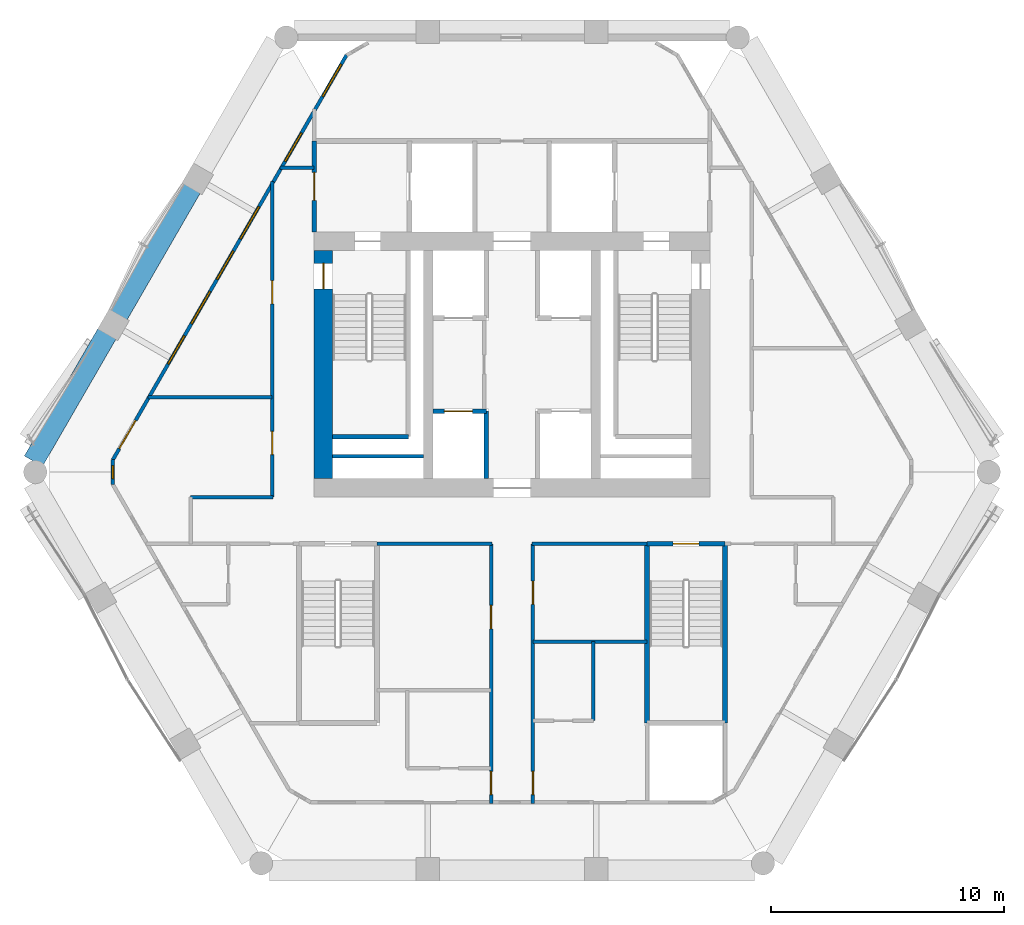
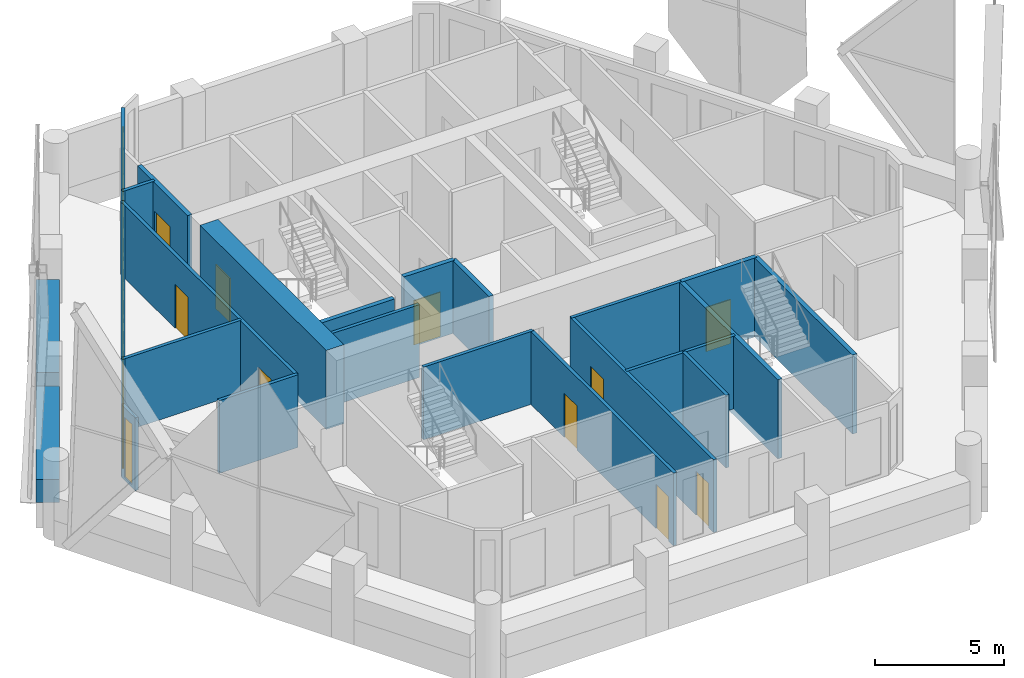
# One storey, part 8 of 13: 23 walls, 11 doors, 7 windows, 18 openings.
"""IFC4 building model written with IfcOpenShell, lengths in metres."""

from ifc_helpers import new_model, si_unit, direction, frame, frame_2d, origin, place, context, subcontext, project, spatial, rectangle, extrude, material, layer, layer_set, type_object, element, fill, save


model = new_model("IFC4")

# Units and contexts
model_context = context("Model", 3, precision=1e-05, world=origin(), true_north=direction((0.0, 1.0)))
body_context = subcontext(model_context, "Body", "Model", "MODEL_VIEW")
ifc_project = project(units=[si_unit("LENGTHUNIT", "METRE"), si_unit("AREAUNIT", "SQUARE_METRE"), si_unit("VOLUMEUNIT", "CUBIC_METRE"), si_unit("PLANEANGLEUNIT", "RADIAN"), si_unit("MASSUNIT", "GRAM", prefix="KILO")], contexts=[model_context])

# Site, building, storey
site_placement = place(None, origin())
site = spatial("IfcSite", under=ifc_project, at=site_placement, CompositionType="ELEMENT")
building_placement = place(site_placement, origin())
building = spatial("IfcBuilding", under=site, at=building_placement, Name="Ostrander Bayou Hotel Tower", CompositionType="ELEMENT")
storey_placement = place(building_placement, frame((0.0, 0.0, 187.0)))
storey = spatial("IfcBuildingStorey", under=building, at=storey_placement, Name="L46", CompositionType="ELEMENT", Elevation=187.0)

# Wall, opening, door
ifc_material_1 = material(Name="Concrete f'c 60 MPa", Category="concrete")
ifc_layer_1 = layer(ifc_material_1, 0.800048828125)
ifc_layer_set_1 = layer_set([ifc_layer_1], Name="CW8 core spine wall 800 mm f'c 60 MPa")
wall_type_1 = type_object("IfcWallType", Name="CW8 core spine wall 800 mm f'c 60 MPa", PredefinedType="SHEAR", material=ifc_layer_set_1)
wall_1_placement = place(storey_placement, frame((-8.10009765625, -0.89990234375, -0.300048828125), z_axis=(0.0, 0.0, 1.0), x_axis=(0.0, 1.0, 0.0)))
wall_1 = element("IfcWall", 1, at=wall_1_placement, inside=storey, type_object=wall_type_1, Name="CW8 L46 W", PredefinedType="SHEAR", context=body_context, shape_type="SweptSolid", body=[
    extrude(rectangle(XDim=9.7998046875, YDim=0.800048828125, at=frame_2d((4.89990234375, 0.0))), origin(), (0.0, 0.0, 1.0), 3.75),
])
opening_1_placement = place(wall_1_placement, frame((8.14990234375, 0.0, 0.0)))
opening_1 = element("IfcOpeningElement", 2, at=opening_1_placement, cuts=wall_1, Name="Opening T44-008", PredefinedType="OPENING", context=body_context, shape_type="SweptSolid", body=[
    extrude(rectangle(XDim=1.10009765625, YDim=2.10009765625, at=frame_2d((0.550048828125, 1.050048828125))), frame((0.0, 0.39990234375, 0.0), z_axis=(0.0, -1.0, 0.0), x_axis=(1.0, 0.0, 0.0)), (0.0, 0.0, 1.0), 0.800048828125),
])
ifc_material_2 = material(Name="Timber door leaf", Category="wood")
door_type_1 = type_object("IfcDoorType", Name="D5 stair door 1100 x 2100 mm, 90 minute", OperationType="SINGLE_SWING_LEFT", PredefinedType="DOOR", material=ifc_material_2)
door_1_placement = place(opening_1_placement, origin())
door_1 = element("IfcDoor", 3, at=door_1_placement, inside=storey, type_object=door_type_1, Name="dr:L46:008", OperationType="SINGLE_SWING_RIGHT", OverallHeight=2.10009765625, OverallWidth=1.10009765625, PredefinedType="DOOR", context=body_context, shape_type="SweptSolid", body=[
    extrude(rectangle(XDim=1.10009765625, YDim=2.10009765625, at=frame_2d((0.550048828125, 1.050048828125))), frame((0.0, 0.02490234375, 0.0), z_axis=(0.0, -1.0, 0.0), x_axis=(1.0, 0.0, 0.0)), (0.0, 0.0, 1.0), 0.050048828125),
])
fill(opening_1, door_1)

# Wall, openings, door, windows
ifc_material_3 = material(Name="Aluminium framed insulated wall", Category="aluminium")
ifc_layer_2 = layer(ifc_material_3, 0.14990234375)
ifc_layer_set_2 = layer_set([ifc_layer_2], Name="GW1 glass-line wall 150 mm")
wall_type_2 = type_object("IfcWallType", Name="GW1 glass-line wall 150 mm", PredefinedType="SOLIDWALL", material=ifc_layer_set_2)
wall_2_placement = place(storey_placement, frame((-7.109375, 17.29248046875, 0.0), z_axis=(0.0, 0.0, 1.0), x_axis=(-0.499999728453, -0.866025560562, 0.0)))
wall_2 = element("IfcWall", 4, at=wall_2_placement, inside=storey, type_object=wall_type_2, Name="GW1 L46 NW 1", PredefinedType="SOLIDWALL", context=body_context, shape_type="SweptSolid", body=[
    extrude(rectangle(XDim=20.07080078125, YDim=0.14990234375, at=frame_2d((10.035400390625, 0.0))), origin(), (0.0, 0.0, 1.0), 3.449951171875),
])
opening_2_placement = place(wall_2_placement, frame((3.86767578125, 0.0, 0.14990234375)))
opening_2 = element("IfcOpeningElement", 5, at=opening_2_placement, cuts=wall_2, Name="Opening W13", PredefinedType="OPENING", context=body_context, shape_type="SweptSolid", body=[
    extrude(rectangle(XDim=1.39990234375, YDim=2.85009765625, at=frame_2d((0.699951171875, 1.425048828125))), frame((0.0, 0.074951171875, 0.0), z_axis=(0.0, -1.0, 0.0), x_axis=(1.0, 0.0, 0.0)), (0.0, 0.0, 1.0), 0.14990234375),
])
opening_3_placement = place(wall_2_placement, frame((7.52099609375, 0.0, 0.14990234375)))
opening_3 = element("IfcOpeningElement", 6, at=opening_3_placement, cuts=wall_2, Name="Opening W3", PredefinedType="OPENING", context=body_context, shape_type="SweptSolid", body=[
    extrude(rectangle(XDim=1.60009765625, YDim=2.85009765625, at=frame_2d((0.800048828125, 1.425048828125))), frame((0.0, 0.074951171875, 0.0), z_axis=(0.0, -1.0, 0.0), x_axis=(1.0, 0.0, 0.0)), (0.0, 0.0, 1.0), 0.14990234375),
])
opening_4_placement = place(wall_2_placement, frame((9.72119140625, 0.0, 0.14990234375)))
opening_4 = element("IfcOpeningElement", 7, at=opening_4_placement, cuts=wall_2, Name="Opening W13", PredefinedType="OPENING", context=body_context, shape_type="SweptSolid", body=[
    extrude(rectangle(XDim=1.39990234375, YDim=2.85009765625, at=frame_2d((0.699951171875, 1.425048828125))), frame((0.0, 0.074951171875, 0.0), z_axis=(0.0, -1.0, 0.0), x_axis=(1.0, 0.0, 0.0)), (0.0, 0.0, 1.0), 0.14990234375),
])
opening_5_placement = place(wall_2_placement, frame((11.72119140625, 0.0, 0.14990234375)))
opening_5 = element("IfcOpeningElement", 8, at=opening_5_placement, cuts=wall_2, Name="Opening W3", PredefinedType="OPENING", context=body_context, shape_type="SweptSolid", body=[
    extrude(rectangle(XDim=1.60009765625, YDim=2.85009765625, at=frame_2d((0.800048828125, 1.425048828125))), frame((0.0, 0.074951171875, 0.0), z_axis=(0.0, -1.0, 0.0), x_axis=(1.0, 0.0, 0.0)), (0.0, 0.0, 1.0), 0.14990234375),
])
opening_6_placement = place(wall_2_placement, frame((13.921142578125, 0.0, 0.14990234375)))
opening_6 = element("IfcOpeningElement", 9, at=opening_6_placement, cuts=wall_2, Name="Opening W13", PredefinedType="OPENING", context=body_context, shape_type="SweptSolid", body=[
    extrude(rectangle(XDim=1.39990234375, YDim=2.85009765625, at=frame_2d((0.699951171875, 1.425048828125))), frame((0.0, 0.074951171875, 0.0), z_axis=(0.0, -1.0, 0.0), x_axis=(1.0, 0.0, 0.0)), (0.0, 0.0, 1.0), 0.14990234375),
])
opening_7_placement = place(wall_2_placement, frame((18.12109375, 0.0, 0.0)))
opening_7 = element("IfcOpeningElement", 10, at=opening_7_placement, cuts=wall_2, Name="Opening T44-800", PredefinedType="OPENING", context=body_context, shape_type="SweptSolid", body=[
    extrude(rectangle(XDim=1.39990234375, YDim=2.39990234375, at=frame_2d((0.699951171875, 1.199951171875))), frame((0.0, 0.074951171875, 0.0), z_axis=(0.0, -1.0, 0.0), x_axis=(1.0, 0.0, 0.0)), (0.0, 0.0, 1.0), 0.14990234375),
])
opening_8_placement = place(wall_2_placement, frame((0.45166015625, 0.0, 0.14990234375)))
opening_8 = element("IfcOpeningElement", 11, at=opening_8_placement, cuts=wall_2, Name="Opening W3", PredefinedType="OPENING", context=body_context, shape_type="SweptSolid", body=[
    extrude(rectangle(XDim=1.60009765625, YDim=2.72998046875, at=frame_2d((0.800048828125, 1.364990234375))), frame((0.0, 0.074951171875, 0.0), z_axis=(0.0, -1.0, 0.0), x_axis=(1.0, 0.0, 0.0)), (0.0, 0.0, 1.0), 0.14990234375),
])
ifc_material_4 = material(Name="Aluminium and clear glass", Category="aluminium")
door_type_2 = type_object("IfcDoorType", Name="SD3 sliding glass door 1400 mm, zone 3", OperationType="SLIDING_TO_LEFT", PredefinedType="DOOR", material=ifc_material_4)
door_2_placement = place(opening_7_placement, origin())
door_2 = element("IfcDoor", 12, at=door_2_placement, inside=storey, type_object=door_type_2, Name="SD3 L46 NW 4", OperationType="SLIDING_TO_RIGHT", OverallHeight=2.39990234375, OverallWidth=1.39990234375, PredefinedType="DOOR", context=body_context, shape_type="SweptSolid", body=[
    extrude(rectangle(XDim=1.39990234375, YDim=2.39990234375, at=frame_2d((0.699951171875, 1.199951171875))), frame((0.0, 0.02490234375, 0.0), z_axis=(0.0, -1.0, 0.0), x_axis=(1.0, 0.0, 0.0)), (0.0, 0.0, 1.0), 0.050048828125),
])
fill(opening_7, door_2)
ifc_material_5 = material(Name="Aluminium and clear glass", Category="aluminium")
window_type_1 = type_object("IfcWindowType", Name="W13 fixed window 1400 mm, bath bay, zone 3", PartitioningType="SINGLE_PANEL", PredefinedType="WINDOW", material=ifc_material_5)
window_1_placement = place(opening_2_placement, origin())
window_1 = element("IfcWindow", 13, at=window_1_placement, inside=storey, type_object=window_type_1, Name="W13 L46 NW 1", OverallHeight=2.85009765625, OverallWidth=1.39990234375, PartitioningType="SINGLE_PANEL", PredefinedType="WINDOW", context=body_context, shape_type="SweptSolid", body=[
    extrude(rectangle(XDim=1.39990234375, YDim=2.85009765625, at=frame_2d((0.699951171875, 1.425048828125))), frame((0.0, 0.030029296875, 0.0), z_axis=(0.0, -1.0, 0.0), x_axis=(1.0, 0.0, 0.0)), (0.0, 0.0, 1.0), 0.06005859375),
])
fill(opening_2, window_1)
window_2_placement = place(opening_4_placement, origin())
window_2 = element("IfcWindow", 14, at=window_2_placement, inside=storey, type_object=window_type_1, Name="W13 L46 NW 2", OverallHeight=2.85009765625, OverallWidth=1.39990234375, PartitioningType="SINGLE_PANEL", PredefinedType="WINDOW", context=body_context, shape_type="SweptSolid", body=[
    extrude(rectangle(XDim=1.39990234375, YDim=2.85009765625, at=frame_2d((0.699951171875, 1.425048828125))), frame((0.0, 0.030029296875, 0.0), z_axis=(0.0, -1.0, 0.0), x_axis=(1.0, 0.0, 0.0)), (0.0, 0.0, 1.0), 0.06005859375),
])
fill(opening_4, window_2)
window_3_placement = place(opening_6_placement, origin())
window_3 = element("IfcWindow", 15, at=window_3_placement, inside=storey, type_object=window_type_1, Name="W13 L46 NW 3", OverallHeight=2.85009765625, OverallWidth=1.39990234375, PartitioningType="SINGLE_PANEL", PredefinedType="WINDOW", context=body_context, shape_type="SweptSolid", body=[
    extrude(rectangle(XDim=1.39990234375, YDim=2.85009765625, at=frame_2d((0.699951171875, 1.425048828125))), frame((0.0, 0.030029296875, 0.0), z_axis=(0.0, -1.0, 0.0), x_axis=(1.0, 0.0, 0.0)), (0.0, 0.0, 1.0), 0.06005859375),
])
fill(opening_6, window_3)
ifc_material_6 = material(Name="Aluminium and clear glass", Category="aluminium")
window_type_2 = type_object("IfcWindowType", Name="W3 fixed window 1600 mm, zone 3", PartitioningType="SINGLE_PANEL", PredefinedType="WINDOW", material=ifc_material_6)
window_4_placement = place(opening_3_placement, origin())
window_4 = element("IfcWindow", 16, at=window_4_placement, inside=storey, type_object=window_type_2, Name="W3 L46 NW 2", OverallHeight=2.85009765625, OverallWidth=1.60009765625, PartitioningType="SINGLE_PANEL", PredefinedType="WINDOW", context=body_context, shape_type="SweptSolid", body=[
    extrude(rectangle(XDim=1.60009765625, YDim=2.85009765625, at=frame_2d((0.800048828125, 1.425048828125))), frame((0.0, 0.030029296875, 0.0), z_axis=(0.0, -1.0, 0.0), x_axis=(1.0, 0.0, 0.0)), (0.0, 0.0, 1.0), 0.06005859375),
])
fill(opening_3, window_4)
window_5_placement = place(opening_5_placement, origin())
window_5 = element("IfcWindow", 17, at=window_5_placement, inside=storey, type_object=window_type_2, Name="W3 L46 NW 3", OverallHeight=2.85009765625, OverallWidth=1.60009765625, PartitioningType="SINGLE_PANEL", PredefinedType="WINDOW", context=body_context, shape_type="SweptSolid", body=[
    extrude(rectangle(XDim=1.60009765625, YDim=2.85009765625, at=frame_2d((0.800048828125, 1.425048828125))), frame((0.0, 0.030029296875, 0.0), z_axis=(0.0, -1.0, 0.0), x_axis=(1.0, 0.0, 0.0)), (0.0, 0.0, 1.0), 0.06005859375),
])
fill(opening_5, window_5)
window_6_placement = place(opening_8_placement, origin())
window_6 = element("IfcWindow", 18, at=window_6_placement, inside=storey, type_object=window_type_2, Name="W3 L46 NW E11", OverallHeight=2.72998046875, OverallWidth=1.60009765625, PartitioningType="SINGLE_PANEL", PredefinedType="WINDOW", context=body_context, shape_type="SweptSolid", body=[
    extrude(rectangle(XDim=1.60009765625, YDim=2.72998046875, at=frame_2d((0.800048828125, 1.364990234375))), frame((0.0, 0.030029296875, 0.0), z_axis=(0.0, -1.0, 0.0), x_axis=(1.0, 0.0, 0.0)), (0.0, 0.0, 1.0), 0.06005859375),
])
fill(opening_8, window_6)

# Wall, opening, window
wall_3_placement = place(storey_placement, frame((-17.144775390625, -0.08935546875, 0.0), z_axis=(0.0, 0.0, 1.0), x_axis=(0.0, -1.0, 0.0)))
wall_3 = element("IfcWall", 19, at=wall_3_placement, inside=storey, type_object=wall_type_2, Name="GW1 L46 corner 2", PredefinedType="SOLIDWALL", context=body_context, shape_type="SweptSolid", body=[
    extrude(rectangle(XDim=1.06494140625, YDim=0.14990234375, at=frame_2d((0.532470703125, 0.0))), origin(), (0.0, 0.0, 1.0), 3.449951171875),
])
opening_9_placement = place(wall_3_placement, frame((0.257568359375, 0.0, 0.14990234375)))
opening_9 = element("IfcOpeningElement", 20, at=opening_9_placement, cuts=wall_3, Name="Opening W19", PredefinedType="OPENING", context=body_context, shape_type="SweptSolid", body=[
    extrude(rectangle(XDim=0.550048828125, YDim=2.85009765625, at=frame_2d((0.27490234375, 1.425048828125))), frame((0.0, 0.074951171875, 0.0), z_axis=(0.0, -1.0, 0.0), x_axis=(1.0, 0.0, 0.0)), (0.0, 0.0, 1.0), 0.14990234375),
])
ifc_material_7 = material(Name="Aluminium and clear glass", Category="aluminium")
window_type_3 = type_object("IfcWindowType", Name="W19 corner window 550 mm", PartitioningType="SINGLE_PANEL", PredefinedType="WINDOW", material=ifc_material_7)
window_7_placement = place(opening_9_placement, origin())
window_7 = element("IfcWindow", 21, at=window_7_placement, inside=storey, type_object=window_type_3, Name="W19 L46 corner 2", OverallHeight=2.85009765625, OverallWidth=0.550048828125, PartitioningType="SINGLE_PANEL", PredefinedType="WINDOW", context=body_context, shape_type="SweptSolid", body=[
    extrude(rectangle(XDim=0.550048828125, YDim=2.85009765625, at=frame_2d((0.27490234375, 1.425048828125))), frame((0.0, 0.030029296875, 0.0), z_axis=(0.0, -1.0, 0.0), x_axis=(1.0, 0.0, 0.0)), (0.0, 0.0, 1.0), 0.06005859375),
])
fill(opening_9, window_7)

# Walls
ifc_material_8 = material(Name="Concrete f'c 40 MPa", Category="concrete")
ifc_layer_3 = layer(ifc_material_8, 0.89990234375)
ifc_layer_set_3 = layer_set([ifc_layer_3], Name="PA1 stone-faced parapet 900 mm")
wall_type_3 = type_object("IfcWallType", Name="PA1 stone-faced parapet 900 mm", PredefinedType="PARAPET", material=ifc_layer_set_3)
wall_4_placement = place(storey_placement, frame((-13.779052734375, 11.59033203125, 0.0), z_axis=(0.0, 0.0, 1.0), x_axis=(-0.499984268907, -0.866034485945, 0.0)))
element("IfcWall", 22, at=wall_4_placement, inside=storey, type_object=wall_type_3, Name="PA1 L46 NW-2", PredefinedType="PARAPET", context=body_context, shape_type="SweptSolid", body=[
    extrude(rectangle(XDim=6.296142578125, YDim=0.89990234375, at=frame_2d((3.14794921875, 0.0))), origin(), (0.0, 0.0, 1.0), 1.10009765625),
])
wall_5_placement = place(storey_placement, frame((-17.39697265625, 5.32373046875, 0.0), z_axis=(0.0, 0.0, 1.0), x_axis=(-0.500017688138, -0.866015191293, 0.0)))
element("IfcWall", 23, at=wall_5_placement, inside=storey, type_object=wall_type_3, Name="PA1 L46 NW-3", PredefinedType="PARAPET", context=body_context, shape_type="SweptSolid", body=[
    extrude(rectangle(XDim=6.322998046875, YDim=0.89990234375, at=frame_2d((3.16162109375, 0.0))), origin(), (0.0, 0.0, 1.0), 1.10009765625),
])

# Wall, opening, door
ifc_material_9 = material(Name="Masonry block", Category="masonry")
ifc_layer_4 = layer(ifc_material_9, 0.199951171875)
ifc_layer_set_4 = layer_set([ifc_layer_4], Name="PT5 stair enclosure wall 200 mm masonry, 2 hour")
wall_type_4 = type_object("IfcWallType", Name="PT5 stair enclosure wall 200 mm masonry, 2 hour", PredefinedType="PARTITIONING", material=ifc_layer_set_4)
wall_6_placement = place(storey_placement, frame((-8.5, 9.699951171875, 0.0), z_axis=(0.0, 0.0, 1.0), x_axis=(0.0, 1.0, 0.0)))
wall_6 = element("IfcWall", 24, at=wall_6_placement, inside=storey, type_object=wall_type_4, Name="cs:L46:026", PredefinedType="PARTITIONING", context=body_context, shape_type="SweptSolid", body=[
    extrude(rectangle(XDim=3.900146484375, YDim=0.199951171875, at=frame_2d((1.9501953125, 0.0))), origin(), (0.0, 0.0, 1.0), 3.449951171875),
])
opening_10_placement = place(wall_6_placement, frame((1.35009765625, 0.0, 0.0)))
opening_10 = element("IfcOpeningElement", 25, at=opening_10_placement, cuts=wall_6, Name="Opening T44-014", PredefinedType="OPENING", context=body_context, shape_type="SweptSolid", body=[
    extrude(rectangle(XDim=1.199951171875, YDim=2.10009765625, at=frame_2d((0.60009765625, 1.050048828125))), frame((0.0, 0.10009765625, 0.0), z_axis=(0.0, -1.0, 0.0), x_axis=(1.0, 0.0, 0.0)), (0.0, 0.0, 1.0), 0.199951171875),
])
ifc_material_10 = material(Name="Timber door leaf", Category="wood")
door_type_3 = type_object("IfcDoorType", Name="D7 lobby door 1200 x 2100 mm, 1 hour", OperationType="SINGLE_SWING_LEFT", PredefinedType="DOOR", material=ifc_material_10)
door_3_placement = place(opening_10_placement, origin())
door_3 = element("IfcDoor", 26, at=door_3_placement, inside=storey, type_object=door_type_3, Name="dr:L46:014", OperationType="SINGLE_SWING_LEFT", OverallHeight=2.10009765625, OverallWidth=1.199951171875, PredefinedType="DOOR", context=body_context, shape_type="SweptSolid", body=[
    extrude(rectangle(XDim=1.199951171875, YDim=2.10009765625, at=frame_2d((0.60009765625, 1.050048828125))), frame((0.0, 0.02490234375, 0.0), z_axis=(0.0, -1.0, 0.0), x_axis=(1.0, 0.0, 0.0)), (0.0, 0.0, 1.0), 0.050048828125),
])
fill(opening_10, door_3)

ifc_material_11 = material(Name="Masonry block", Category="masonry")
ifc_layer_5 = layer(ifc_material_11, 0.199951171875)
ifc_layer_set_5 = layer_set([ifc_layer_5], Name="PT6 lift shaft wall 200 mm masonry, 2 hour")
wall_type_5 = type_object("IfcWallType", Name="PT6 lift shaft wall 200 mm masonry, 2 hour", PredefinedType="PARTITIONING", material=ifc_layer_set_5)
wall_7_placement = place(storey_placement, frame((-3.39990234375, 2.0, 0.0), z_axis=(0.0, 0.0, 1.0), x_axis=(1.0, 0.0, 0.0)))
wall_7 = element("IfcWall", 27, at=wall_7_placement, inside=storey, type_object=wall_type_5, Name="cs:L46:001", PredefinedType="PARTITIONING", context=body_context, shape_type="SweptSolid", body=[
    extrude(rectangle(XDim=2.2998046875, YDim=0.199951171875, at=frame_2d((1.14990234375, 0.0))), origin(), (0.0, 0.0, 1.0), 3.449951171875),
])
opening_11_placement = place(wall_7_placement, frame((0.5, 0.0, 0.0)))
opening_11 = element("IfcOpeningElement", 28, at=opening_11_placement, cuts=wall_7, Name="Opening T44-001", PredefinedType="OPENING", context=body_context, shape_type="SweptSolid", body=[
    extrude(rectangle(XDim=1.199951171875, YDim=2.10009765625, at=frame_2d((0.60009765625, 1.050048828125))), frame((0.0, 0.10009765625, 0.0), z_axis=(0.0, -1.0, 0.0), x_axis=(1.0, 0.0, 0.0)), (0.0, 0.0, 1.0), 0.199951171875),
])
ifc_material_12 = material(Name="Stainless steel sliding door", Category="steel")
door_type_4 = type_object("IfcDoorType", Name="LD1 lift landing door 1200 x 2100 mm", OperationType="SINGLE_SWING_LEFT", PredefinedType="DOOR", material=ifc_material_12)
door_4_placement = place(opening_11_placement, origin())
door_4 = element("IfcDoor", 29, at=door_4_placement, inside=storey, type_object=door_type_4, Name="dr:L46:001", OperationType="SLIDING_TO_LEFT", OverallHeight=2.10009765625, OverallWidth=1.199951171875, PredefinedType="DOOR", context=body_context, shape_type="SweptSolid", body=[
    extrude(rectangle(XDim=1.199951171875, YDim=2.10009765625, at=frame_2d((0.60009765625, 1.050048828125))), frame((0.0, 0.02490234375, 0.0), z_axis=(0.0, -1.0, 0.0), x_axis=(1.0, 0.0, 0.0)), (0.0, 0.0, 1.0), 0.050048828125),
])
fill(opening_11, door_4)

# Walls
wall_8_placement = place(storey_placement, frame((-1.10009765625, -0.89990234375, 0.0), z_axis=(0.0, 0.0, 1.0), x_axis=(0.0, 1.0, 0.0)))
element("IfcWall", 30, at=wall_8_placement, inside=storey, type_object=wall_type_5, Name="cs:L46:005", PredefinedType="PARTITIONING", context=body_context, shape_type="SweptSolid", body=[
    extrude(rectangle(XDim=2.89990234375, YDim=0.199951171875, at=frame_2d((1.449951171875, 0.0))), origin(), (0.0, 0.0, 1.0), 3.449951171875),
])
ifc_material_13 = material(Name="Gypsum board partition", Category="finish")
ifc_layer_6 = layer(ifc_material_13, 0.14990234375)
ifc_layer_set_6 = layer_set([ifc_layer_6], Name="PT7 riser wall 150 mm, 2 hour")
wall_type_6 = type_object("IfcWallType", Name="PT7 riser wall 150 mm, 2 hour", PredefinedType="PARTITIONING", material=ifc_layer_set_6)
wall_9_placement = place(storey_placement, frame((-7.699951171875, 0.050048828125, 0.0), z_axis=(0.0, 0.0, 1.0), x_axis=(1.0, 0.0, 0.0)))
element("IfcWall", 31, at=wall_9_placement, inside=storey, type_object=wall_type_6, Name="cs:L46:011", PredefinedType="PARTITIONING", context=body_context, shape_type="SweptSolid", body=[
    extrude(rectangle(XDim=3.89990234375, YDim=0.14990234375, at=frame_2d((1.949951171875, 0.0))), origin(), (0.0, 0.0, 1.0), 3.449951171875),
])
ifc_material_14 = material(Name="Gypsum board partition", Category="finish")
ifc_layer_7 = layer(ifc_material_14, 0.14990234375)
ifc_layer_set_7 = layer_set([ifc_layer_7], Name="PT8 service band wall 150 mm, 1 hour")
wall_type_7 = type_object("IfcWallType", Name="PT8 service band wall 150 mm, 1 hour", PredefinedType="PARTITIONING", material=ifc_layer_set_7)
wall_10_placement = place(storey_placement, frame((0.89990234375, -7.89990234375, 0.0), z_axis=(0.0, 0.0, 1.0), x_axis=(1.0, 0.0, 0.0)))
element("IfcWall", 32, at=wall_10_placement, inside=storey, type_object=wall_type_7, Name="gw:L46:005", PredefinedType="PARTITIONING", context=body_context, shape_type="SweptSolid", body=[
    extrude(rectangle(XDim=4.89013671875, YDim=0.14990234375, at=frame_2d((2.445068359375, 0.0))), origin(), (0.0, 0.0, 1.0), 3.449951171875),
])
for number, where, z_axis, x_axis, name in (
    (33, (-5.7900390625, -3.699951171875, 0.0), (0.0, 0.0, 1.0), (1.0, 0.0, 0.0), "gw:L46:009"),
    (34, (0.860107421875, -3.699951171875, 0.0), (0.0, 0.0, 1.0), (1.0, 0.0, 0.0), "gw:L46:010"),
):
    element("IfcWall", number, at=place(storey_placement, frame(where, z_axis=z_axis, x_axis=x_axis)), inside=storey, type_object=wall_type_7, Name=name, PredefinedType="PARTITIONING", context=body_context, shape_type="SweptSolid", body=[
        extrude(rectangle(XDim=4.929931640625, YDim=0.14990234375, at=frame_2d((2.46484375, 0.0))), origin(), (0.0, 0.0, 1.0), 3.449951171875),
    ])
wall_11_placement = place(storey_placement, frame((-13.800048828125, -1.699951171875, 0.0), z_axis=(0.0, 0.0, 1.0), x_axis=(1.0, 0.0, 0.0)))
element("IfcWall", 35, at=wall_11_placement, inside=storey, type_object=wall_type_7, Name="gw:L46:012", PredefinedType="PARTITIONING", context=body_context, shape_type="SweptSolid", body=[
    extrude(rectangle(XDim=3.5400390625, YDim=0.14990234375, at=frame_2d((1.77001953125, 0.0))), origin(), (0.0, 0.0, 1.0), 3.449951171875),
])
wall_12_placement = place(storey_placement, frame((-15.64404296875, 2.60009765625, 0.0), z_axis=(0.0, 0.0, 1.0), x_axis=(1.0, 0.0, 0.0)))
element("IfcWall", 36, at=wall_12_placement, inside=storey, type_object=wall_type_7, Name="gw:L46:014", PredefinedType="PARTITIONING", context=body_context, shape_type="SweptSolid", body=[
    extrude(rectangle(XDim=5.343994140625, YDim=0.14990234375, at=frame_2d((2.671875, 0.0))), origin(), (0.0, 0.0, 1.0), 3.449951171875),
])
wall_13_placement = place(storey_placement, frame((-9.95703125, 12.449951171875, 0.0), z_axis=(0.0, 0.0, 1.0), x_axis=(1.0, 0.0, 0.0)))
element("IfcWall", 37, at=wall_13_placement, inside=storey, type_object=wall_type_7, Name="gw:L46:016", PredefinedType="PARTITIONING", context=body_context, shape_type="SweptSolid", body=[
    extrude(rectangle(XDim=1.447021484375, YDim=0.14990234375, at=frame_2d((0.7236328125, 0.0))), origin(), (0.0, 0.0, 1.0), 3.449951171875),
])
wall_14_placement = place(storey_placement, frame((3.5, -11.300048828125, 0.0), z_axis=(0.0, 0.0, 1.0), x_axis=(0.0, 1.0, 0.0)))
element("IfcWall", 38, at=wall_14_placement, inside=storey, type_object=wall_type_7, Name="gw:L46:024", PredefinedType="PARTITIONING", context=body_context, shape_type="SweptSolid", body=[
    extrude(rectangle(XDim=3.400146484375, YDim=0.14990234375, at=frame_2d((1.7001953125, 0.0))), origin(), (0.0, 0.0, 1.0), 3.449951171875),
])

# Wall, openings, doors
wall_15_placement = place(storey_placement, frame((0.89990234375, -14.847900390625, 0.0), z_axis=(0.0, 0.0, 1.0), x_axis=(0.0, 1.0, 0.0)))
wall_15 = element("IfcWall", 39, at=wall_15_placement, inside=storey, type_object=wall_type_7, Name="gw:L46:025", PredefinedType="PARTITIONING", context=body_context, shape_type="SweptSolid", body=[
    extrude(rectangle(XDim=11.14794921875, YDim=0.14990234375, at=frame_2d((5.573974609375, 0.0))), origin(), (0.0, 0.0, 1.0), 3.449951171875),
])
opening_12_placement = place(wall_15_placement, frame((8.548095703125, 0.0, 0.0)))
opening_12 = element("IfcOpeningElement", 40, at=opening_12_placement, cuts=wall_15, Name="Opening T44-405", PredefinedType="OPENING", context=body_context, shape_type="SweptSolid", body=[
    extrude(rectangle(XDim=1.0, YDim=2.10009765625, at=frame_2d((0.5, 1.050048828125))), frame((0.0, 0.074951171875, 0.0), z_axis=(0.0, -1.0, 0.0), x_axis=(1.0, 0.0, 0.0)), (0.0, 0.0, 1.0), 0.14990234375),
])
opening_13_placement = place(wall_15_placement, frame((0.367919921875, 0.0, 0.0)))
opening_13 = element("IfcOpeningElement", 41, at=opening_13_placement, cuts=wall_15, Name="Opening T44-406", PredefinedType="OPENING", context=body_context, shape_type="SweptSolid", body=[
    extrude(rectangle(XDim=1.0, YDim=2.10009765625, at=frame_2d((0.5, 1.050048828125))), frame((0.0, 0.074951171875, 0.0), z_axis=(0.0, -1.0, 0.0), x_axis=(1.0, 0.0, 0.0)), (0.0, 0.0, 1.0), 0.14990234375),
])
ifc_material_15 = material(Name="Timber door leaf", Category="wood")
door_type_5 = type_object("IfcDoorType", Name="D1 guest room door 1000 x 2100 mm, 30 minute", OperationType="SINGLE_SWING_LEFT", PredefinedType="DOOR", material=ifc_material_15)
door_5_placement = place(opening_13_placement, origin())
door_5 = element("IfcDoor", 42, at=door_5_placement, inside=storey, type_object=door_type_5, Name="dr:L46:406", OperationType="SINGLE_SWING_LEFT", OverallHeight=2.10009765625, OverallWidth=1.0, PredefinedType="DOOR", context=body_context, shape_type="SweptSolid", body=[
    extrude(rectangle(XDim=1.0, YDim=2.10009765625, at=frame_2d((0.5, 1.050048828125))), frame((0.0, 0.02490234375, 0.0), z_axis=(0.0, -1.0, 0.0), x_axis=(1.0, 0.0, 0.0)), (0.0, 0.0, 1.0), 0.050048828125),
])
fill(opening_13, door_5)
ifc_material_16 = material(Name="Timber door leaf", Category="wood")
door_type_6 = type_object("IfcDoorType", Name="D15 room door 1000 x 2100 mm", OperationType="SINGLE_SWING_LEFT", PredefinedType="DOOR", material=ifc_material_16)
door_6_placement = place(opening_12_placement, origin())
door_6 = element("IfcDoor", 43, at=door_6_placement, inside=storey, type_object=door_type_6, Name="dr:L46:405", OperationType="SINGLE_SWING_RIGHT", OverallHeight=2.10009765625, OverallWidth=1.0, PredefinedType="DOOR", context=body_context, shape_type="SweptSolid", body=[
    extrude(rectangle(XDim=1.0, YDim=2.10009765625, at=frame_2d((0.5, 1.050048828125))), frame((0.0, 0.02490234375, 0.0), z_axis=(0.0, -1.0, 0.0), x_axis=(1.0, 0.0, 0.0)), (0.0, 0.0, 1.0), 0.050048828125),
])
fill(opening_12, door_6)

wall_16_placement = place(storey_placement, frame((-0.89990234375, -14.847900390625, 0.0), z_axis=(0.0, 0.0, 1.0), x_axis=(0.0, 1.0, 0.0)))
wall_16 = element("IfcWall", 44, at=wall_16_placement, inside=storey, type_object=wall_type_7, Name="gw:L46:026", PredefinedType="PARTITIONING", context=body_context, shape_type="SweptSolid", body=[
    extrude(rectangle(XDim=11.14794921875, YDim=0.14990234375, at=frame_2d((5.573974609375, 0.0))), origin(), (0.0, 0.0, 1.0), 3.449951171875),
])
opening_14_placement = place(wall_16_placement, frame((7.498046875, 0.0, 0.0)))
opening_14 = element("IfcOpeningElement", 45, at=opening_14_placement, cuts=wall_16, Name="Opening T44-402", PredefinedType="OPENING", context=body_context, shape_type="SweptSolid", body=[
    extrude(rectangle(XDim=1.0, YDim=2.10009765625, at=frame_2d((0.5, 1.050048828125))), frame((0.0, 0.074951171875, 0.0), z_axis=(0.0, -1.0, 0.0), x_axis=(1.0, 0.0, 0.0)), (0.0, 0.0, 1.0), 0.14990234375),
])
opening_15_placement = place(wall_16_placement, frame((0.367919921875, 0.0, 0.0)))
opening_15 = element("IfcOpeningElement", 46, at=opening_15_placement, cuts=wall_16, Name="Opening T44-403", PredefinedType="OPENING", context=body_context, shape_type="SweptSolid", body=[
    extrude(rectangle(XDim=1.0, YDim=2.10009765625, at=frame_2d((0.5, 1.050048828125))), frame((0.0, 0.074951171875, 0.0), z_axis=(0.0, -1.0, 0.0), x_axis=(1.0, 0.0, 0.0)), (0.0, 0.0, 1.0), 0.14990234375),
])
door_7_placement = place(opening_15_placement, origin())
door_7 = element("IfcDoor", 47, at=door_7_placement, inside=storey, type_object=door_type_5, Name="dr:L46:403", OperationType="SINGLE_SWING_LEFT", OverallHeight=2.10009765625, OverallWidth=1.0, PredefinedType="DOOR", context=body_context, shape_type="SweptSolid", body=[
    extrude(rectangle(XDim=1.0, YDim=2.10009765625, at=frame_2d((0.5, 1.050048828125))), frame((0.0, 0.02490234375, 0.0), z_axis=(0.0, -1.0, 0.0), x_axis=(1.0, 0.0, 0.0)), (0.0, 0.0, 1.0), 0.050048828125),
])
fill(opening_15, door_7)
door_8_placement = place(opening_14_placement, origin())
door_8 = element("IfcDoor", 48, at=door_8_placement, inside=storey, type_object=door_type_6, Name="dr:L46:402", OperationType="SINGLE_SWING_LEFT", OverallHeight=2.10009765625, OverallWidth=1.0, PredefinedType="DOOR", context=body_context, shape_type="SweptSolid", body=[
    extrude(rectangle(XDim=1.0, YDim=2.10009765625, at=frame_2d((0.5, 1.050048828125))), frame((0.0, 0.02490234375, 0.0), z_axis=(0.0, -1.0, 0.0), x_axis=(1.0, 0.0, 0.0)), (0.0, 0.0, 1.0), 0.050048828125),
])
fill(opening_14, door_8)

wall_17_placement = place(storey_placement, frame((-10.300048828125, -1.699951171875, 0.0), z_axis=(0.0, 0.0, 1.0), x_axis=(0.0, 1.0, 0.0)))
wall_17 = element("IfcWall", 49, at=wall_17_placement, inside=storey, type_object=wall_type_7, Name="gw:L46:029", PredefinedType="PARTITIONING", context=body_context, shape_type="SweptSolid", body=[
    extrude(rectangle(XDim=13.555908203125, YDim=0.14990234375, at=frame_2d((6.77783203125, 0.0))), origin(), (0.0, 0.0, 1.0), 3.449951171875),
])
opening_16_placement = place(wall_17_placement, frame((1.824951171875, 0.0, 0.0)))
opening_16 = element("IfcOpeningElement", 50, at=opening_16_placement, cuts=wall_17, Name="Opening T44-410", PredefinedType="OPENING", context=body_context, shape_type="SweptSolid", body=[
    extrude(rectangle(XDim=1.0, YDim=2.10009765625, at=frame_2d((0.5, 1.050048828125))), frame((0.0, 0.074951171875, 0.0), z_axis=(0.0, -1.0, 0.0), x_axis=(1.0, 0.0, 0.0)), (0.0, 0.0, 1.0), 0.14990234375),
])
opening_17_placement = place(wall_17_placement, frame((8.306884765625, 0.0, 0.0)))
opening_17 = element("IfcOpeningElement", 51, at=opening_17_placement, cuts=wall_17, Name="Opening T44-411", PredefinedType="OPENING", context=body_context, shape_type="SweptSolid", body=[
    extrude(rectangle(XDim=1.0, YDim=2.10009765625, at=frame_2d((0.5, 1.050048828125))), frame((0.0, 0.074951171875, 0.0), z_axis=(0.0, -1.0, 0.0), x_axis=(1.0, 0.0, 0.0)), (0.0, 0.0, 1.0), 0.14990234375),
])
door_9_placement = place(opening_16_placement, origin())
door_9 = element("IfcDoor", 52, at=door_9_placement, inside=storey, type_object=door_type_6, Name="dr:L46:410", OperationType="SINGLE_SWING_RIGHT", OverallHeight=2.10009765625, OverallWidth=1.0, PredefinedType="DOOR", context=body_context, shape_type="SweptSolid", body=[
    extrude(rectangle(XDim=1.0, YDim=2.10009765625, at=frame_2d((0.5, 1.050048828125))), frame((0.0, 0.02490234375, 0.0), z_axis=(0.0, -1.0, 0.0), x_axis=(1.0, 0.0, 0.0)), (0.0, 0.0, 1.0), 0.050048828125),
])
fill(opening_16, door_9)
ifc_material_17 = material(Name="Timber door leaf", Category="wood")
door_type_7 = type_object("IfcDoorType", Name="D9 service door 1000 x 2100 mm, 30 minute", OperationType="SINGLE_SWING_LEFT", PredefinedType="DOOR", material=ifc_material_17)
door_10_placement = place(opening_17_placement, origin())
door_10 = element("IfcDoor", 53, at=door_10_placement, inside=storey, type_object=door_type_7, Name="dr:L46:411", OperationType="SINGLE_SWING_LEFT", OverallHeight=2.10009765625, OverallWidth=1.0, PredefinedType="DOOR", context=body_context, shape_type="SweptSolid", body=[
    extrude(rectangle(XDim=1.0, YDim=2.10009765625, at=frame_2d((0.5, 1.050048828125))), frame((0.0, 0.02490234375, 0.0), z_axis=(0.0, -1.0, 0.0), x_axis=(1.0, 0.0, 0.0)), (0.0, 0.0, 1.0), 0.050048828125),
])
fill(opening_17, door_10)

# Wall
ifc_material_18 = material(Name="Concrete f'c 45 MPa", Category="concrete")
ifc_layer_8 = layer(ifc_material_18, 0.199951171875)
ifc_layer_set_8 = layer_set([ifc_layer_8], Name="SW5 stair enclosure wall 200 mm f'c 45 MPa")
wall_type_8 = type_object("IfcWallType", Name="SW5 stair enclosure wall 200 mm f'c 45 MPa", PredefinedType="SOLIDWALL", material=ifc_layer_set_8)
wall_18_placement = place(storey_placement, frame((-7.699951171875, 0.89990234375, -0.300048828125), z_axis=(0.0, 0.0, 1.0), x_axis=(1.0, 0.0, 0.0)))
element("IfcWall", 54, at=wall_18_placement, inside=storey, type_object=wall_type_8, Name="cs:L46:010", PredefinedType="SOLIDWALL", context=body_context, shape_type="SweptSolid", body=[
    extrude(rectangle(XDim=3.25, YDim=0.199951171875, at=frame_2d((1.625, 0.0))), origin(), (0.0, 0.0, 1.0), 3.75),
])

# Wall, opening, door
wall_19_placement = place(storey_placement, frame((5.800048828125, -3.699951171875, -0.300048828125), z_axis=(0.0, 0.0, 1.0), x_axis=(1.0, 0.0, 0.0)))
wall_19 = element("IfcWall", 55, at=wall_19_placement, inside=storey, type_object=wall_type_8, Name="cs:L46:015", PredefinedType="SOLIDWALL", context=body_context, shape_type="SweptSolid", body=[
    extrude(rectangle(XDim=3.349853515625, YDim=0.199951171875, at=frame_2d((1.6748046875, 0.0))), origin(), (0.0, 0.0, 1.0), 3.75),
])
opening_18_placement = place(wall_19_placement, frame((1.125, 0.0, 0.0)))
opening_18 = element("IfcOpeningElement", 56, at=opening_18_placement, cuts=wall_19, Name="Opening T44-011", PredefinedType="OPENING", context=body_context, shape_type="SweptSolid", body=[
    extrude(rectangle(XDim=1.10009765625, YDim=2.10009765625, at=frame_2d((0.550048828125, 1.050048828125))), frame((0.0, 0.10009765625, 0.0), z_axis=(0.0, -1.0, 0.0), x_axis=(1.0, 0.0, 0.0)), (0.0, 0.0, 1.0), 0.199951171875),
])
door_11_placement = place(opening_18_placement, origin())
door_11 = element("IfcDoor", 57, at=door_11_placement, inside=storey, type_object=door_type_1, Name="dr:L46:011", OperationType="SINGLE_SWING_LEFT", OverallHeight=2.10009765625, OverallWidth=1.10009765625, PredefinedType="DOOR", context=body_context, shape_type="SweptSolid", body=[
    extrude(rectangle(XDim=1.10009765625, YDim=2.10009765625, at=frame_2d((0.550048828125, 1.050048828125))), frame((0.0, 0.02490234375, 0.0), z_axis=(0.0, -1.0, 0.0), x_axis=(1.0, 0.0, 0.0)), (0.0, 0.0, 1.0), 0.050048828125),
])
fill(opening_18, door_11)

# Walls
for number, where, z_axis, x_axis, name in (
    (58, (5.800048828125, -3.699951171875, -0.300048828125), (0.0, 0.0, 1.0), (0.0, -1.0, 0.0), "cs:L46:016"),
    (59, (9.14990234375, -3.699951171875, -0.300048828125), (0.0, 0.0, 1.0), (0.0, -1.0, 0.0), "cs:L46:017"),
):
    element("IfcWall", number, at=place(storey_placement, frame(where, z_axis=z_axis, x_axis=x_axis)), inside=storey, type_object=wall_type_8, Name=name, PredefinedType="SOLIDWALL", context=body_context, shape_type="SweptSolid", body=[
        extrude(rectangle(XDim=7.699951171875, YDim=0.199951171875, at=frame_2d((3.85009765625, 0.0))), origin(), (0.0, 0.0, 1.0), 3.75),
    ])

save(model, "model.ifc")
